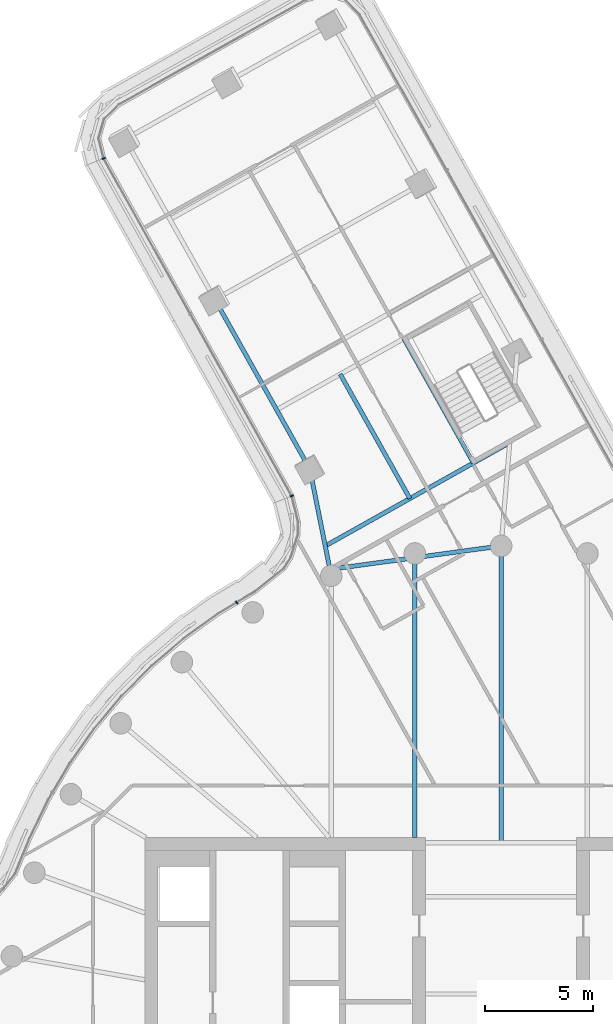
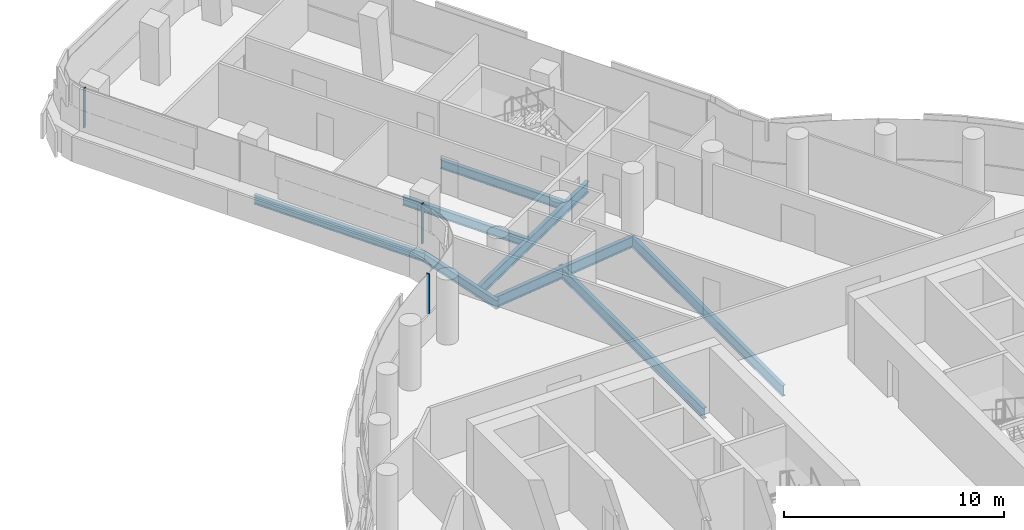
# One storey, part 14 of 34: 8 beams, 3 members, 2 elements without a shape of their own.
"""IFC4 building model written with IfcOpenShell, lengths in metres."""

from ifc_helpers import new_model, si_unit, direction, frame, origin, origin_2d, place, context, subcontext, project, spatial, rectangle, i_section, extrude, material, layer, layer_set, material_profile, profile_set, type_object, element, aggregate, save


model = new_model("IFC4")

# Units and contexts
model_context = context("Model", 3, precision=1e-05, world=origin(), true_north=direction((0.0, 1.0)))
body_context = subcontext(model_context, "Body", "Model", "MODEL_VIEW")
ifc_project = project(units=[si_unit("LENGTHUNIT", "METRE"), si_unit("AREAUNIT", "SQUARE_METRE"), si_unit("VOLUMEUNIT", "CUBIC_METRE"), si_unit("PLANEANGLEUNIT", "RADIAN"), si_unit("MASSUNIT", "GRAM", prefix="KILO")], contexts=[model_context])

# Site, building, storey
site_placement = place(None, origin())
site = spatial("IfcSite", under=ifc_project, at=site_placement, CompositionType="ELEMENT")
building_placement = place(site_placement, origin())
building = spatial("IfcBuilding", under=site, at=building_placement, Name="Tamarind Cross Interchange Tower", CompositionType="ELEMENT")
storey_placement = place(building_placement, frame((0.0, 0.0, 140.5)))
storey = spatial("IfcBuildingStorey", under=building, at=storey_placement, Name="L34", CompositionType="ELEMENT", Elevation=140.5)

# Beams
ifc_material_1 = material(Name="Steel Q355B", Category="steel")
ifc_material_profile_1 = material_profile(ifc_material_1, i_section(OverallWidth=0.198974609375, OverallDepth=0.49609375, WebThickness=0.009033203125, FlangeThickness=0.013916015625, FilletRadius=0.012939453125, at=origin_2d()), Name="HN 496x199x9x14")
ifc_profile_set_1 = profile_set([ifc_material_profile_1], Name="Steel Q355B")
beam_type_1 = type_object("IfcBeamType", Name="Composite beam HN 496x199x9x14 Q355B", PredefinedType="BEAM", material=ifc_profile_set_1)
beam_1_placement = place(storey_placement, frame((-13.2529296875, 34.40576171875, -0.387939453125), z_axis=(0.488691751996, -0.872456515553, 0.0), x_axis=(0.872456515553, 0.488691751996, 0.0)))
element("IfcBeam", 1, at=beam_1_placement, inside=storey, type_object=beam_type_1, Name="Beam N-edgeep3", PredefinedType="BEAM", context=body_context, shape_type="SweptSolid", body=[
    extrude(i_section(OverallWidth=0.198974609375, OverallDepth=0.49609375, WebThickness=0.009033203125, FlangeThickness=0.013916015625, FilletRadius=0.012939453125, at=origin_2d()), origin(), (0.0, 0.0, 1.0), 9.0),
])
beam_2_placement = place(storey_placement, frame((-8.854736328125, 26.5537109375, -0.387939453125), z_axis=(0.196144089617, -0.980575084381, 0.0), x_axis=(0.980575084381, 0.196144089617, 0.0)))
element("IfcBeam", 2, at=beam_2_placement, inside=storey, type_object=beam_type_1, Name="Beam N-linkep", PredefinedType="BEAM", context=body_context, shape_type="SweptSolid", body=[
    extrude(i_section(OverallWidth=0.198974609375, OverallDepth=0.49609375, WebThickness=0.009033203125, FlangeThickness=0.013916015625, FilletRadius=0.012939453125, at=origin_2d()), origin(), (0.0, 0.0, 1.0), 5.03857421875),
])
for number, where, z_axis, x_axis, name in (
    (3, (-1.279541015625, 26.84228515625, -0.387939453125), (-0.488683340552, 0.872461227028, 0.0), (-0.872461227028, -0.488683340552, 0.0), "Beam N-tr1"),
    (4, (-4.22412109375, 25.19287109375, -0.387939453125), (-0.488683340552, 0.872461227028, 0.0), (-0.872461227028, -0.488683340552, 0.0), "Beam N-stripp"),
):
    element("IfcBeam", number, at=place(storey_placement, frame(where, z_axis=z_axis, x_axis=x_axis)), inside=storey, type_object=beam_type_1, Name=name, PredefinedType="BEAM", context=body_context, shape_type="SweptSolid", body=[
        extrude(i_section(OverallWidth=0.198974609375, OverallDepth=0.49609375, WebThickness=0.009033203125, FlangeThickness=0.013916015625, FilletRadius=0.012939453125, at=origin_2d()), origin(), (0.0, 0.0, 1.0), 6.60009765625),
    ])
ifc_material_profile_2 = material_profile(ifc_material_1, i_section(OverallWidth=0.198974609375, OverallDepth=0.595947265625, WebThickness=0.010009765625, FlangeThickness=0.014892578125, FilletRadius=0.012939453125, at=origin_2d()), Name="HN 596x199x10x15")
ifc_profile_set_2 = profile_set([ifc_material_profile_2], Name="Steel Q355B")
beam_type_2 = type_object("IfcBeamType", Name="Composite beam HN 596x199x10x15 Q355B", PredefinedType="BEAM", material=ifc_profile_set_2)
beam_3_placement = place(storey_placement, frame((0.0, 23.0, -0.43798828125), z_axis=(0.0, -1.0, 0.0), x_axis=(1.0, 0.0, 0.0)))
element("IfcBeam", 5, at=beam_3_placement, inside=storey, type_object=beam_type_2, Name="Beam HH09", PredefinedType="BEAM", context=body_context, shape_type="SweptSolid", body=[
    extrude(i_section(OverallWidth=0.198974609375, OverallDepth=0.595947265625, WebThickness=0.010009765625, FlangeThickness=0.014892578125, FilletRadius=0.012939453125, at=origin_2d()), origin(), (0.0, 0.0, 1.0), 13.75),
])
beam_4_placement = place(storey_placement, frame((-3.993896484375, 22.650634765625, -0.43798828125), z_axis=(0.0, -1.0, 0.0), x_axis=(1.0, 0.0, 0.0)))
element("IfcBeam", 6, at=beam_4_placement, inside=storey, type_object=beam_type_2, Name="Beam HH10", PredefinedType="BEAM", context=body_context, shape_type="SweptSolid", body=[
    extrude(i_section(OverallWidth=0.198974609375, OverallDepth=0.595947265625, WebThickness=0.010009765625, FlangeThickness=0.014892578125, FilletRadius=0.012939453125, at=origin_2d()), origin(), (0.0, 0.0, 1.0), 13.150634765625),
])
ifc_material_profile_3 = material_profile(ifc_material_1, i_section(OverallWidth=0.199951171875, OverallDepth=0.60009765625, WebThickness=0.010986328125, FlangeThickness=0.01708984375, FilletRadius=0.012939453125, at=origin_2d()), Name="HN 600x200x11x17")
ifc_profile_set_3 = profile_set([ifc_material_profile_3], Name="Steel Q355B")
beam_type_3 = type_object("IfcBeamType", Name="Composite beam HN 600x200x11x17 Q355B", PredefinedType="BEAM", material=ifc_profile_set_3)
beam_5_placement = place(storey_placement, frame((0.3974609375, 27.78173828125, -0.43994140625), z_axis=(-0.872447322086, -0.48870816464, 0.0), x_axis=(0.48870816464, -0.872447322086, 0.0)))
element("IfcBeam", 7, at=beam_5_placement, inside=storey, type_object=beam_type_3, Name="Beam N-x268", PredefinedType="BEAM", context=body_context, shape_type="SweptSolid", body=[
    extrude(i_section(OverallWidth=0.199951171875, OverallDepth=0.60009765625, WebThickness=0.010986328125, FlangeThickness=0.01708984375, FilletRadius=0.012939453125, at=origin_2d()), origin(), (0.0, 0.0, 1.0), 9.78955078125),
])
beam_6_placement = place(storey_placement, frame((0.0, 23.0, -0.43994140625), z_axis=(-0.990767113273, -0.135574803175, 0.0), x_axis=(0.135574803175, -0.990767113273, 0.0)))
element("IfcBeam", 8, at=beam_6_placement, inside=storey, type_object=beam_type_3, Name="Beam N-x258", PredefinedType="BEAM", context=body_context, shape_type="SweptSolid", body=[
    extrude(i_section(OverallWidth=0.199951171875, OverallDepth=0.60009765625, WebThickness=0.010986328125, FlangeThickness=0.01708984375, FilletRadius=0.012939453125, at=origin_2d()), origin(), (0.0, 0.0, 1.0), 8.0009765625),
])

# Curtain wall, member
ifc_material_2 = material(Name="Aluminium 6063-T6", Category="aluminium")
ifc_layer = layer(ifc_material_2, 0.159912109375)
ifc_layer_set = layer_set([ifc_layer], Name="Aluminium 6063-T6")
curtain_wall_type = type_object("IfcCurtainWallType", Name="Office curtain wall, 9.0 m bays", PredefinedType="NOTDEFINED", material=ifc_layer_set)
curtain_wall_1_placement = place(storey_placement, origin())
curtain_wall_1 = element("IfcCurtainWall", 9, at=curtain_wall_1_placement, inside=storey, type_object=curtain_wall_type, Name="CWS-L34-13", PredefinedType="NOTDEFINED")
ifc_material_profile_4 = material_profile(ifc_material_2, rectangle(XDim=0.06005859375, YDim=0.159912109375, at=origin_2d()), Name="Mullion CW1")
ifc_profile_set_4 = profile_set([ifc_material_profile_4], Name="Aluminium 6063-T6")
member_type = type_object("IfcMemberType", Name="Mullion CW1", PredefinedType="MULLION", material=ifc_profile_set_4)
member_1_placement = place(storey_placement, frame((-18.4052734375, 40.944091796875, 1.39990234375), z_axis=(0.0, 0.0, 1.0), x_axis=(0.369684995222, -0.929157147262, 0.0)))
member_1 = element("IfcMember", 10, at=member_1_placement, type_object=member_type, Name="CWM-L34-13-00", PredefinedType="MULLION", context=body_context, shape_type="SweptSolid", body=[
    extrude(rectangle(XDim=0.06005859375, YDim=0.159912109375, at=origin_2d()), origin(), (0.0, 0.0, 1.0), 2.210205078125),
])
aggregate(curtain_wall_1, [member_1])

# Curtain wall, members
curtain_wall_2_placement = place(storey_placement, origin())
curtain_wall_2 = element("IfcCurtainWall", 11, at=curtain_wall_2_placement, inside=storey, type_object=curtain_wall_type, Name="CWS-L34-14", PredefinedType="NOTDEFINED")
member_2_placement = place(storey_placement, frame((-9.69189453125, 25.313720703125, 1.39990234375), z_axis=(0.0, 0.0, 1.0), x_axis=(0.365354118861, -0.930868609327, 0.0)))
member_2 = element("IfcMember", 12, at=member_2_placement, type_object=member_type, Name="CWM-L34-14-00", PredefinedType="MULLION", context=body_context, shape_type="SweptSolid", body=[
    extrude(rectangle(XDim=0.06005859375, YDim=0.159912109375, at=origin_2d()), origin(), (0.0, 0.0, 1.0), 2.210205078125),
])
member_3_placement = place(storey_placement, frame((-12.243408203125, 20.380615234375, 1.39990234375), z_axis=(0.0, 0.0, 1.0), x_axis=(-0.856843065292, -0.515577308909, 0.0)))
member_3 = element("IfcMember", 13, at=member_3_placement, type_object=member_type, Name="CWM-L34-14-01", PredefinedType="MULLION", context=body_context, shape_type="SweptSolid", body=[
    extrude(rectangle(XDim=0.06005859375, YDim=0.159912109375, at=origin_2d()), origin(), (0.0, 0.0, 1.0), 2.210205078125),
])
aggregate(curtain_wall_2, [member_2, member_3])

save(model, "model.ifc")
